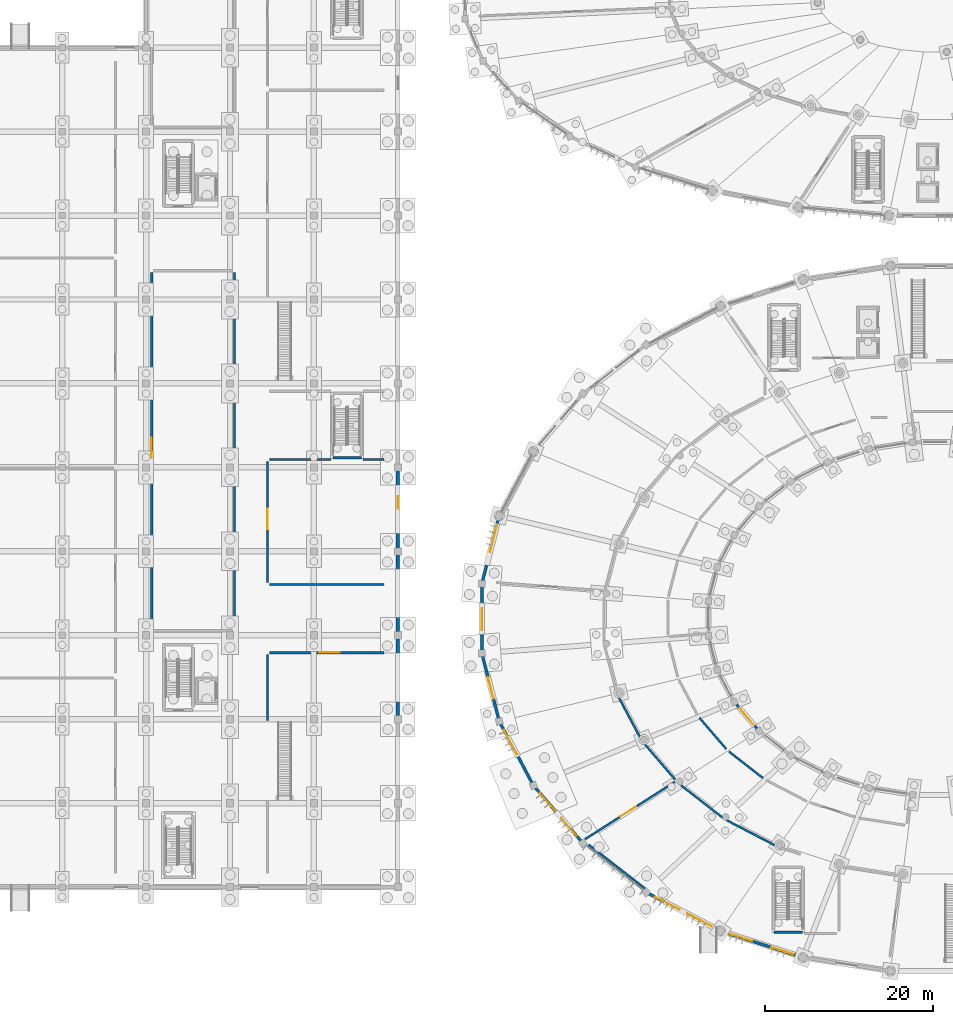
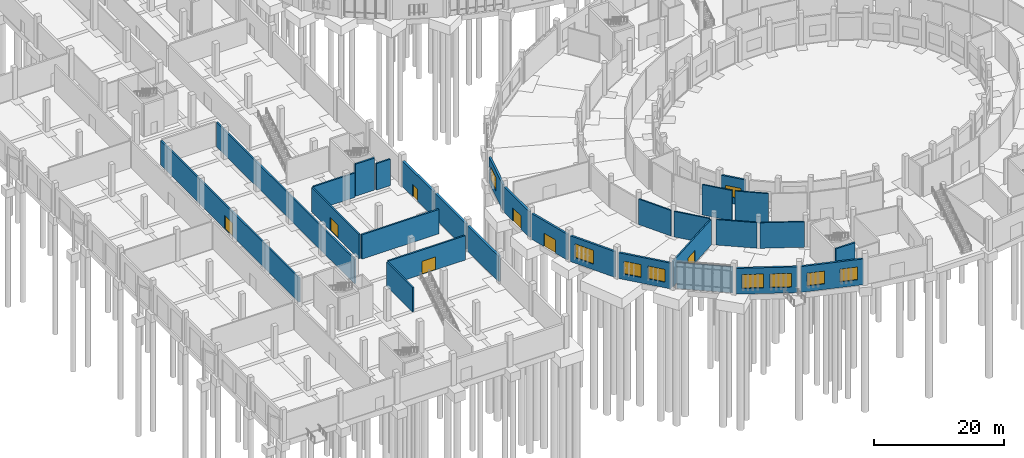
# One storey, part 78 of 140: 29 walls, 9 windows, 7 doors, 16 openings.
"""IFC4 building model written with IfcOpenShell, lengths in metres."""

import ifcopenshell
import ifcopenshell.guid

model = None  # the IFC model being written
_history = None  # IfcOwnerHistory: only IFC2X3 demands one
_inside = {}  # id of a spatial element -> (the spatial element, [elements in it])
_under = {}  # id of a project, library or spatial element -> (it, [spatial elements below it])
_declared = {}  # id of a project -> (the project, [libraries it declares])
_typed = {}  # id of a type object -> (the type object, [elements of that type])
_made_of = {}  # id of a material, layer set ... -> (it, [elements and type objects made of it])


def new_model(schema):
    """Start an empty IFC model of exactly this schema.

    Asked for "IFC4X3", IfcOpenShell would pick the latest addendum, in which some entities
    have other attributes; the version numbers below select the first issue.
    IFC2X3 requires an IfcOwnerHistory on every rooted entity: one is made here for all.
    """
    global model, _history
    if schema == "IFC4X3":
        model = ifcopenshell.file(schema_version=(4, 3, 0, 0))
    else:
        model = ifcopenshell.file(schema=schema)
    _inside.clear()
    _under.clear()
    _declared.clear()
    _typed.clear()
    _made_of.clear()
    _history = None
    if model.schema == "IFC2X3":
        org = make("IfcOrganization", Name="unknown")
        user = make(
            "IfcPersonAndOrganization",
            ThePerson=make("IfcPerson", FamilyName="unknown"),
            TheOrganization=org,
        )
        app = make(
            "IfcApplication",
            ApplicationDeveloper=org,
            Version="unknown",
            ApplicationFullName="unknown",
            ApplicationIdentifier="unknown",
        )
        _history = make(
            "IfcOwnerHistory",
            OwningUser=user,
            OwningApplication=app,
            ChangeAction="ADDED",
            CreationDate=0,
        )
    return model


def make(cls, **values):
    """One entity of the class cls with the attributes given. An attribute that is None is left unset."""
    return model.create_entity(
        cls, **{name: value for name, value in values.items() if value is not None}
    )


def rooted(cls, **values):
    """An entity with a GlobalId (a new one), such as an element, a storey or a relation."""
    return make(cls, GlobalId=ifcopenshell.guid.new(), OwnerHistory=_history, **values)


def si_unit(unit_type, name, prefix=None):
    """IfcSIUnit, for example si_unit("LENGTHUNIT", "METRE", prefix="MILLI")."""
    return make("IfcSIUnit", UnitType=unit_type, Prefix=prefix, Name=name)


def assignment(units):
    """IfcUnitAssignment: the units of a project."""
    return None if units is None else make("IfcUnitAssignment", Units=units)


def point(xyz):
    """IfcCartesianPoint."""
    return None if xyz is None else make("IfcCartesianPoint", Coordinates=xyz)


def direction(xyz):
    """IfcDirection."""
    return None if xyz is None else make("IfcDirection", DirectionRatios=xyz)


def frame(location, z_axis=None, x_axis=None):
    """IfcAxis2Placement3D, a coordinate frame: its origin and axes. An axis left out is left unset."""
    return make(
        "IfcAxis2Placement3D",
        Location=point(location),
        Axis=direction(z_axis),
        RefDirection=direction(x_axis),
    )


def frame_2d(location, x_axis=None):
    """IfcAxis2Placement2D, a coordinate frame in the plane: its origin and x axis."""
    return make(
        "IfcAxis2Placement2D", Location=point(location), RefDirection=direction(x_axis)
    )


def origin():
    """The frame at (0, 0, 0) with its axes left unset."""
    return frame((0.0, 0.0, 0.0))


def place(relative_to, where):
    """IfcLocalPlacement: puts the frame where relative to a parent placement (None: the world)."""
    return make(
        "IfcLocalPlacement", PlacementRelTo=relative_to, RelativePlacement=where
    )


def context(
    kind, dimensions, precision=None, world=None, true_north=None, identifier=None
):
    """IfcGeometricRepresentationContext, for example the 3D "Model" context."""
    return make(
        "IfcGeometricRepresentationContext",
        ContextIdentifier=identifier,
        ContextType=kind,
        CoordinateSpaceDimension=dimensions,
        Precision=precision,
        WorldCoordinateSystem=world,
        TrueNorth=true_north,
    )


def subcontext(parent, identifier, kind, view, scale=None):
    """IfcGeometricRepresentationSubContext, for example "Body" below "Model"."""
    return make(
        "IfcGeometricRepresentationSubContext",
        ContextIdentifier=identifier,
        ContextType=kind,
        ParentContext=parent,
        TargetScale=scale,
        TargetView=view,
    )


def project(units=None, contexts=None):
    """IfcProject with its units and contexts."""
    return rooted(
        "IfcProject",
        Name="project",
        RepresentationContexts=contexts,
        UnitsInContext=assignment(units),
    )


def spatial(cls, under=None, at=None, **own):
    """A site, building, storey or space (cls), placed at a placement, below another one or the project."""
    s = rooted(cls, ObjectPlacement=at, **own)
    if under is not None:
        _under.setdefault(under.id(), (under, []))[1].append(s)
    return s


def profile(cls, at=None, kind="AREA", **sizes):
    """A parametric profile (cls). Its sizes go by their IFC names, for example OverallWidth=200.0."""
    return make(cls, ProfileType=kind, Position=at, **sizes)


def rectangle(**sizes):
    """IfcRectangleProfileDef."""
    return profile("IfcRectangleProfileDef", **sizes)


def extrude(swept, where, along, depth):
    """IfcExtrudedAreaSolid: the profile swept, set in the frame where, extruded along a direction by depth."""
    return make(
        "IfcExtrudedAreaSolid",
        SweptArea=swept,
        Position=where,
        ExtrudedDirection=direction(along),
        Depth=depth,
    )


def shape(context_of_items, identifier, shape_type, items):
    """IfcShapeRepresentation: the items that make up one representation, for example the "Body"."""
    return make(
        "IfcShapeRepresentation",
        ContextOfItems=context_of_items,
        RepresentationIdentifier=identifier,
        RepresentationType=shape_type,
        Items=items,
    )


def material(Name=None, Category=None):
    """IfcMaterial."""
    return make("IfcMaterial", Name=Name, Category=Category)


def layer(
    of_material, thickness, ventilated=None, Name=None, Category=None, Priority=None
):
    """IfcMaterialLayer: one layer of a wall or slab, of a material (None: an air gap)."""
    return make(
        "IfcMaterialLayer",
        Material=of_material,
        LayerThickness=thickness,
        IsVentilated=ventilated,
        Name=Name,
        Category=Category,
        Priority=Priority,
    )


def layer_set(layers, Name=None):
    """IfcMaterialLayerSet."""
    return make("IfcMaterialLayerSet", MaterialLayers=layers, LayerSetName=Name)


def made_of(thing, what):
    """Note that an element or type object is made of a material, layer set ...; save() writes the relation."""
    if what is not None:
        _made_of.setdefault(what.id(), (what, []))[1].append(thing)
    return thing


def type_object(cls, material=None, **own):
    """A type object (cls), such as IfcWallType, which elements share."""
    return made_of(rooted(cls, **own), material)


def element(
    cls,
    number,
    at=None,
    inside=None,
    cuts=None,
    type_object=None,
    material=None,
    context=None,
    identifier="Body",
    shape_type=None,
    held_by="IfcProductDefinitionShape",
    body=None,
    shapes=None,
    **own,
):
    """One element of the class cls, such as IfcWall. Its Tag is "e" and its number.

    at: its placement. inside: the storey or other place that contains it. cuts: it is an
    opening in that element (IfcRelVoidsElement). A single representation is given by context,
    identifier, shape_type and body (its items); several are given by shapes. held_by: the class
    of the entity that holds the representations. save() writes the other relations.
    """
    e = rooted(cls, Tag="e%d" % number, ObjectPlacement=at, **own)
    if body is not None:
        shapes = [shape(context, identifier, shape_type, body)]
    if shapes is not None:
        e.Representation = make(held_by, Representations=shapes)
    if inside is not None:
        _inside.setdefault(inside.id(), (inside, []))[1].append(e)
    if cuts is not None:
        rooted(
            "IfcRelVoidsElement", RelatingBuildingElement=cuts, RelatedOpeningElement=e
        )
    if type_object is not None:
        _typed.setdefault(type_object.id(), (type_object, []))[1].append(e)
    return made_of(e, material)


def fill(opening, filler):
    """IfcRelFillsElement: the door or window that sits in an opening."""
    return rooted(
        "IfcRelFillsElement",
        RelatingOpeningElement=opening,
        RelatedBuildingElement=filler,
    )


def aggregate(whole, parts):
    """IfcRelAggregates: a whole, such as a stair, and the parts it consists of."""
    return rooted("IfcRelAggregates", RelatingObject=whole, RelatedObjects=parts)


def save(model, path):
    """Write the relations noted so far, then the file.

    IfcRelAggregates (storeys below a building ...), IfcRelContainedInSpatialStructure (elements
    in a storey), IfcRelDefinesByType, IfcRelAssociatesMaterial and IfcRelDeclares: one each for
    every whole, place, type object, material and project.
    """
    for whole, parts in _under.values():
        aggregate(whole, parts)
    for where, things in _inside.values():
        rooted(
            "IfcRelContainedInSpatialStructure",
            RelatedElements=things,
            RelatingStructure=where,
        )
    for kind, things in _typed.values():
        rooted("IfcRelDefinesByType", RelatedObjects=things, RelatingType=kind)
    for what, things in _made_of.values():
        rooted("IfcRelAssociatesMaterial", RelatedObjects=things, RelatingMaterial=what)
    for by, libraries in _declared.values():
        rooted("IfcRelDeclares", RelatingContext=by, RelatedDefinitions=libraries)
    model.write(path)


model = new_model("IFC4")

# Units and contexts
model_context = context("Model", 3, precision=1e-05, world=origin(), true_north=direction((0.0, 1.0)))
body_context = subcontext(model_context, "Body", "Model", "MODEL_VIEW")
ifc_project = project(units=[si_unit("LENGTHUNIT", "METRE"), si_unit("AREAUNIT", "SQUARE_METRE"), si_unit("VOLUMEUNIT", "CUBIC_METRE"), si_unit("PLANEANGLEUNIT", "RADIAN"), si_unit("MASSUNIT", "GRAM", prefix="KILO")], contexts=[model_context])

# Site, building, storey
site_placement = place(None, origin())
site = spatial("IfcSite", under=ifc_project, at=site_placement, CompositionType="ELEMENT")
building_placement = place(site_placement, origin())
building = spatial("IfcBuilding", under=site, at=building_placement, Name="Corvandel Quay Wholesale Market", CompositionType="ELEMENT")
storey_placement = place(building_placement, origin())
storey = spatial("IfcBuildingStorey", under=building, at=storey_placement, Name="L00", CompositionType="ELEMENT", Elevation=0.0)

# Wall
ifc_material_1 = material(Name="PIR insulated food-safe sandwich panel")
ifc_layer_1 = layer(ifc_material_1, 0.280029296875)
ifc_layer_set_1 = layer_set([ifc_layer_1], Name="PIR insulated food-safe sandwich panel")
wall_type_1 = type_object("IfcWallType", Name="Cold Store Insulated Partition PT03 280", PredefinedType="PARTITIONING", material=ifc_layer_set_1)
wall_1_placement = place(storey_placement, frame((34.4599609375, 29.84619140625, 0.0), z_axis=(0.0, 0.0, 1.0), x_axis=(0.0, 1.0, 0.0)))
element("IfcWall", 1, at=wall_1_placement, inside=storey, type_object=wall_type_1, Name="Interior Wall IW-0773", PredefinedType="PARTITIONING", context=body_context, shape_type="SweptSolid", body=[
    extrude(rectangle(XDim=7.873779296875, YDim=0.280029296875, at=frame_2d((3.93701171875, 0.0))), origin(), (0.0, 0.0, 1.0), 4.570068359375),
])

# Wall, opening, door
wall_2_placement = place(storey_placement, frame((34.679931640625, 37.93994140625, 0.0), z_axis=(0.0, 0.0, 1.0), x_axis=(1.0, 0.0, 0.0)))
wall_2 = element("IfcWall", 2, at=wall_2_placement, inside=storey, type_object=wall_type_1, Name="Interior Wall IW-0774", PredefinedType="PARTITIONING", context=body_context, shape_type="SweptSolid", body=[
    extrude(rectangle(XDim=13.650146484375, YDim=0.280029296875, at=frame_2d((6.8251953125, 0.0))), origin(), (0.0, 0.0, 1.0), 4.570068359375),
])
opening_1_placement = place(wall_2_placement, frame((5.97509765625, 0.0, 0.0)))
opening_1 = element("IfcOpeningElement", 3, at=opening_1_placement, cuts=wall_2, Name="Opening L00-D114", PredefinedType="OPENING", context=body_context, shape_type="SweptSolid", body=[
    extrude(rectangle(XDim=2.39990234375, YDim=2.449951171875, at=frame_2d((1.199951171875, 1.22509765625))), frame((0.0, 0.14990234375, 0.0), z_axis=(0.0, -1.0, 0.0), x_axis=(1.0, 0.0, 0.0)), (0.0, 0.0, 1.0), 0.300048828125),
])
ifc_material_2 = material(Name="Stainless insulated cold-store leaf")
door_type_1 = type_object("IfcDoorType", Name="Cold Store Insulated Sliding Door ID06 2400x2450", OperationType="DOUBLE_DOOR_SLIDING", PredefinedType="DOOR", material=ifc_material_2)
door_1_placement = place(opening_1_placement, origin())
door_1 = element("IfcDoor", 4, at=door_1_placement, inside=storey, type_object=door_type_1, Name="Primary Produce Cold Store South Door", OperationType="DOUBLE_DOOR_SLIDING", OverallHeight=2.449951171875, OverallWidth=2.39990234375, PredefinedType="DOOR", context=body_context, shape_type="SweptSolid", body=[
    extrude(rectangle(XDim=2.39990234375, YDim=2.449951171875, at=frame_2d((1.199951171875, 1.22509765625))), frame((0.0, 0.02490234375, 0.0), z_axis=(0.0, -1.0, 0.0), x_axis=(1.0, 0.0, 0.0)), (0.0, 0.0, 1.0), 0.050048828125),
])
fill(opening_1, door_1)

wall_3_placement = place(storey_placement, frame((34.4599609375, 46.280029296875, 0.0), z_axis=(0.0, 0.0, 1.0), x_axis=(0.0, 1.0, 0.0)))
wall_3 = element("IfcWall", 5, at=wall_3_placement, inside=storey, type_object=wall_type_1, Name="Interior Wall IW-0775", PredefinedType="PARTITIONING", context=body_context, shape_type="SweptSolid", body=[
    extrude(rectangle(XDim=14.43994140625, YDim=0.280029296875, at=frame_2d((7.219970703125, 0.0))), origin(), (0.0, 0.0, 1.0), 4.570068359375),
])
opening_2_placement = place(wall_3_placement, frame((6.3701171875, 0.0, 0.0)))
opening_2 = element("IfcOpeningElement", 6, at=opening_2_placement, cuts=wall_3, Name="Opening L00-D115", PredefinedType="OPENING", context=body_context, shape_type="SweptSolid", body=[
    extrude(rectangle(XDim=2.39990234375, YDim=2.449951171875, at=frame_2d((1.199951171875, 1.22509765625))), frame((0.0, 0.14990234375, 0.0), z_axis=(0.0, -1.0, 0.0), x_axis=(1.0, 0.0, 0.0)), (0.0, 0.0, 1.0), 0.300048828125),
])
door_2_placement = place(opening_2_placement, origin())
door_2 = element("IfcDoor", 7, at=door_2_placement, inside=storey, type_object=door_type_1, Name="Tropical Produce Cold Store Door", OperationType="DOUBLE_DOOR_SLIDING", OverallHeight=2.449951171875, OverallWidth=2.39990234375, PredefinedType="DOOR", context=body_context, shape_type="SweptSolid", body=[
    extrude(rectangle(XDim=2.39990234375, YDim=2.449951171875, at=frame_2d((1.199951171875, 1.22509765625))), frame((0.0, 0.02490234375, 0.0), z_axis=(0.0, -1.0, 0.0), x_axis=(1.0, 0.0, 0.0)), (0.0, 0.0, 1.0), 0.050048828125),
])
fill(opening_2, door_2)

# Walls
wall_4_placement = place(storey_placement, frame((34.679931640625, 60.93994140625, 0.0), z_axis=(0.0, 0.0, 1.0), x_axis=(1.0, 0.0, 0.0)))
element("IfcWall", 8, at=wall_4_placement, inside=storey, type_object=wall_type_1, Name="Interior Wall IW-0776", PredefinedType="PARTITIONING", context=body_context, shape_type="SweptSolid", body=[
    extrude(rectangle(XDim=7.35009765625, YDim=0.280029296875, at=frame_2d((3.675048828125, 0.0))), origin(), (0.0, 0.0, 1.0), 4.570068359375),
])
wall_5_placement = place(storey_placement, frame((45.8701171875, 60.93994140625, 0.0), z_axis=(0.0, 0.0, 1.0), x_axis=(1.0, 0.0, 0.0)))
element("IfcWall", 9, at=wall_5_placement, inside=storey, type_object=wall_type_1, Name="Interior Wall IW-0777", PredefinedType="PARTITIONING", context=body_context, shape_type="SweptSolid", body=[
    extrude(rectangle(XDim=2.4599609375, YDim=0.280029296875, at=frame_2d((1.22998046875, 0.0))), origin(), (0.0, 0.0, 1.0), 4.969970703125),
])
wall_6_placement = place(storey_placement, frame((48.330078125, 46.06005859375, 0.0), z_axis=(0.0, 0.0, 1.0), x_axis=(-1.0, 0.0, 0.0)))
element("IfcWall", 10, at=wall_6_placement, inside=storey, type_object=wall_type_1, Name="Interior Wall IW-0778", PredefinedType="PARTITIONING", context=body_context, shape_type="SweptSolid", body=[
    extrude(rectangle(XDim=13.650146484375, YDim=0.280029296875, at=frame_2d((6.8251953125, 0.0))), origin(), (0.0, 0.0, 1.0), 4.570068359375),
])

# Wall, opening, door
wall_7_placement = place(storey_placement, frame((20.659912109375, 40.780029296875, 0.0), z_axis=(0.0, 0.0, 1.0), x_axis=(0.0, 1.0, 0.0)))
wall_7 = element("IfcWall", 11, at=wall_7_placement, inside=storey, type_object=wall_type_1, Name="Interior Wall IW-0788", PredefinedType="PARTITIONING", context=body_context, shape_type="SweptSolid", body=[
    extrude(rectangle(XDim=42.43994140625, YDim=0.280029296875, at=frame_2d((21.219970703125, 0.0))), origin(), (0.0, 0.0, 1.0), 4.570068359375),
])
opening_3_placement = place(wall_7_placement, frame((20.3701171875, 0.0, 0.0)))
opening_3 = element("IfcOpeningElement", 12, at=opening_3_placement, cuts=wall_7, Name="Opening L00-D120", PredefinedType="OPENING", context=body_context, shape_type="SweptSolid", body=[
    extrude(rectangle(XDim=2.39990234375, YDim=2.449951171875, at=frame_2d((1.199951171875, 1.22509765625))), frame((0.0, 0.14990234375, 0.0), z_axis=(0.0, -1.0, 0.0), x_axis=(1.0, 0.0, 0.0)), (0.0, 0.0, 1.0), 0.300048828125),
])
door_3_placement = place(opening_3_placement, origin())
door_3 = element("IfcDoor", 13, at=door_3_placement, inside=storey, type_object=door_type_1, Name="Cold Store Pallet Staging Chamber Door", OperationType="DOUBLE_DOOR_SLIDING", OverallHeight=2.449951171875, OverallWidth=2.39990234375, PredefinedType="DOOR", context=body_context, shape_type="SweptSolid", body=[
    extrude(rectangle(XDim=2.39990234375, YDim=2.449951171875, at=frame_2d((1.199951171875, 1.22509765625))), frame((0.0, 0.02490234375, 0.0), z_axis=(0.0, -1.0, 0.0), x_axis=(1.0, 0.0, 0.0)), (0.0, 0.0, 1.0), 0.050048828125),
])
fill(opening_3, door_3)

# Walls
wall_8_placement = place(storey_placement, frame((30.5400390625, 83.219970703125, 0.0), z_axis=(0.0, 0.0, 1.0), x_axis=(0.0, -1.0, 0.0)))
element("IfcWall", 14, at=wall_8_placement, inside=storey, type_object=wall_type_1, Name="Interior Wall IW-0790", PredefinedType="PARTITIONING", context=body_context, shape_type="SweptSolid", body=[
    extrude(rectangle(XDim=42.43994140625, YDim=0.280029296875, at=frame_2d((21.219970703125, 0.0))), origin(), (0.0, 0.0, 1.0), 4.570068359375),
])
ifc_material_3 = material(Name="Lightweight concrete blockwork", Category="masonry")
ifc_layer_2 = layer(ifc_material_3, 0.239990234375)
ifc_layer_set_2 = layer_set([ifc_layer_2], Name="Lightweight concrete blockwork")
wall_type_2 = type_object("IfcWallType", Name="Fire Compartment Partition PT01 240", PredefinedType="PARTITIONING", material=ifc_layer_set_2)
wall_9_placement = place(storey_placement, frame((76.198486328125, 32.81884765625, 0.0), z_axis=(0.0, 0.0, 1.0), x_axis=(0.470093725683, -0.8826165017, 0.0)))
element("IfcWall", 15, at=wall_9_placement, inside=storey, type_object=wall_type_2, Name="Interior Wall IW-0380", PredefinedType="PARTITIONING", context=body_context, shape_type="SweptSolid", body=[
    extrude(rectangle(XDim=5.89453125, YDim=0.239990234375, at=frame_2d((2.947265625, 0.0))), origin(), (0.0, 0.0, 1.0), 4.780029296875),
])
wall_10_placement = place(storey_placement, frame((79.21630859375, 27.2548828125, 0.0), z_axis=(0.0, 0.0, 1.0), x_axis=(0.651228013389, -0.758882121662, 0.0)))
element("IfcWall", 16, at=wall_10_placement, inside=storey, type_object=wall_type_2, Name="Interior Wall IW-0381", PredefinedType="PARTITIONING", context=body_context, shape_type="SweptSolid", body=[
    extrude(rectangle(XDim=5.846435546875, YDim=0.239990234375, at=frame_2d((2.92333984375, 0.0))), origin(), (0.0, 0.0, 1.0), 4.780029296875),
])

# Wall, opening, door
wall_11_placement = place(storey_placement, frame((82.9814453125, 22.53271484375, 0.0), z_axis=(0.0, 0.0, 1.0), x_axis=(-0.842964574038, -0.537969076171, 0.0)))
wall_11 = element("IfcWall", 17, at=wall_11_placement, inside=storey, type_object=wall_type_2, Name="Interior Wall IW-0382", PredefinedType="PARTITIONING", context=body_context, shape_type="SweptSolid", body=[
    extrude(rectangle(XDim=12.677978515625, YDim=0.239990234375, at=frame_2d((6.3388671875, 0.0))), origin(), (0.0, 0.0, 1.0), 4.780029296875),
])
opening_4_placement = place(wall_11_placement, frame((5.489013671875, 0.0, 0.0)))
opening_4 = element("IfcOpeningElement", 18, at=opening_4_placement, cuts=wall_11, Name="Opening L00-D089", PredefinedType="OPENING", context=body_context, shape_type="SweptSolid", body=[
    extrude(rectangle(XDim=2.199951171875, YDim=2.35009765625, at=frame_2d((1.10009765625, 1.175048828125))), frame((0.0, 0.1298828125, 0.0), z_axis=(0.0, -1.0, 0.0), x_axis=(1.0, 0.0, 0.0)), (0.0, 0.0, 1.0), 0.260009765625),
])
ifc_material_4 = material(Name="Stainless-clad fire-rated steel", Category="steel")
door_type_2 = type_object("IfcDoorType", Name="Hall Compartment Double Door ID04 2200x2350", OperationType="DOUBLE_DOOR_SINGLE_SWING", PredefinedType="DOOR", material=ifc_material_4)
door_4_placement = place(opening_4_placement, origin())
door_4 = element("IfcDoor", 19, at=door_4_placement, inside=storey, type_object=door_type_2, Name="Organic Produce Wholesale Trading Hall Door", OperationType="DOUBLE_DOOR_SINGLE_SWING", OverallHeight=2.35009765625, OverallWidth=2.199951171875, PredefinedType="DOOR", context=body_context, shape_type="SweptSolid", body=[
    extrude(rectangle(XDim=2.199951171875, YDim=2.35009765625, at=frame_2d((1.10009765625, 1.175048828125))), frame((0.0, 0.02490234375, 0.0), z_axis=(0.0, -1.0, 0.0), x_axis=(1.0, 0.0, 0.0)), (0.0, 0.0, 1.0), 0.050048828125),
])
fill(opening_4, door_4)

# Walls
wall_12_placement = place(storey_placement, frame((79.555419921875, 9.748046875, 0.0), z_axis=(0.0, 0.0, 1.0), x_axis=(-0.789385584691, 0.613897710276, 0.0)))
element("IfcWall", 20, at=wall_12_placement, inside=storey, type_object=wall_type_2, Name="Interior Wall IW-0383", PredefinedType="PARTITIONING", context=body_context, shape_type="SweptSolid", body=[
    extrude(rectangle(XDim=8.667236328125, YDim=0.239990234375, at=frame_2d((4.33349609375, 0.0))), origin(), (0.0, 0.0, 1.0), 4.830078125),
])
wall_13_placement = place(storey_placement, frame((83.747802734375, 22.112060546875, 0.0), z_axis=(0.0, 0.0, 1.0), x_axis=(0.789755642967, -0.613421571517, 0.0)))
element("IfcWall", 21, at=wall_13_placement, inside=storey, type_object=wall_type_2, Name="Interior Wall IW-0384", PredefinedType="PARTITIONING", context=body_context, shape_type="SweptSolid", body=[
    extrude(rectangle(XDim=6.319091796875, YDim=0.239990234375, at=frame_2d((3.15966796875, 0.0))), origin(), (0.0, 0.0, 1.0), 4.780029296875),
])
wall_14_placement = place(storey_placement, frame((89.107177734375, 17.99951171875, 0.0), z_axis=(0.0, 0.0, 1.0), x_axis=(0.887430939063, -0.460940699433, 0.0)))
element("IfcWall", 22, at=wall_14_placement, inside=storey, type_object=wall_type_2, Name="Interior Wall IW-0385", PredefinedType="PARTITIONING", context=body_context, shape_type="SweptSolid", body=[
    extrude(rectangle(XDim=6.810302734375, YDim=0.239990234375, at=frame_2d((3.4052734375, 0.0))), origin(), (0.0, 0.0, 1.0), 4.780029296875),
])
wall_15_placement = place(storey_placement, frame((93.51318359375, 22.97705078125, 0.0), z_axis=(0.0, 0.0, 1.0), x_axis=(-0.789326793675, 0.613973299734, 0.0)))
element("IfcWall", 23, at=wall_15_placement, inside=storey, type_object=wall_type_2, Name="Interior Wall IW-0427", PredefinedType="PARTITIONING", context=body_context, shape_type="SweptSolid", body=[
    extrude(rectangle(XDim=5.1708984375, YDim=0.239990234375, at=frame_2d((2.58544921875, 0.0))), origin(), (0.0, 0.0, 1.0), 5.679931640625),
])
wall_16_placement = place(storey_placement, frame((89.114501953125, 26.453857421875, 0.0), z_axis=(0.0, 0.0, 1.0), x_axis=(-0.651612898083, 0.758551666699, 0.0)))
element("IfcWall", 24, at=wall_16_placement, inside=storey, type_object=wall_type_2, Name="Interior Wall IW-0428", PredefinedType="PARTITIONING", context=body_context, shape_type="SweptSolid", body=[
    extrude(rectangle(XDim=4.892578125, YDim=0.239990234375, at=frame_2d((2.4462890625, 0.0))), origin(), (0.0, 0.0, 1.0), 5.679931640625),
])
ifc_material_5 = material(Name="Insulated precast concrete C45/55", Category="concrete")
ifc_layer_3 = layer(ifc_material_5, 0.39990234375)
ifc_layer_set_3 = layer_set([ifc_layer_3], Name="Insulated precast concrete C45/55")
wall_type_3 = type_object("IfcWallType", Name="Insulated Cold Store Envelope Wall EW03 400", PredefinedType="SOLIDWALL", material=ifc_layer_set_3)
for number, where, z_axis, x_axis, name in (
    (25, (50.0, 39.760009765625, 0.0), (0.0, 0.0, 1.0), (0.0, -1.0, 0.0), "Exterior Wall EW-0243"),
    (26, (50.0, 49.760009765625, 0.0), (0.0, 0.0, 1.0), (0.0, -1.0, 0.0), "Exterior Wall EW-0247"),
):
    element("IfcWall", number, at=place(storey_placement, frame(where, z_axis=z_axis, x_axis=x_axis)), inside=storey, type_object=wall_type_3, Name=name, PredefinedType="SOLIDWALL", context=body_context, shape_type="SweptSolid", body=[
        extrude(rectangle(XDim=9.52001953125, YDim=0.39990234375, at=frame_2d((4.760009765625, 0.0))), origin(), (0.0, 0.0, 1.0), 4.77001953125),
    ])

# Wall, opening, door
wall_17_placement = place(storey_placement, frame((50.0, 59.760009765625, 0.0), z_axis=(0.0, 0.0, 1.0), x_axis=(0.0, -1.0, 0.0)))
wall_17 = element("IfcWall", 27, at=wall_17_placement, inside=storey, type_object=wall_type_3, Name="Exterior Wall EW-0251", PredefinedType="SOLIDWALL", context=body_context, shape_type="SweptSolid", body=[
    extrude(rectangle(XDim=9.52001953125, YDim=0.39990234375, at=frame_2d((4.760009765625, 0.0))), origin(), (0.0, 0.0, 1.0), 4.77001953125),
])
opening_5_placement = place(wall_17_placement, frame((3.199951171875, 0.0, 0.0)))
opening_5 = element("IfcOpeningElement", 28, at=opening_5_placement, cuts=wall_17, Name="Opening L00-D046", PredefinedType="OPENING", context=body_context, shape_type="SweptSolid", body=[
    extrude(rectangle(XDim=1.5, YDim=2.25, at=frame_2d((0.75, 1.125))), frame((0.0, 0.2099609375, 0.0), z_axis=(0.0, -1.0, 0.0), x_axis=(1.0, 0.0, 0.0)), (0.0, 0.0, 1.0), 0.419921875),
])
ifc_material_6 = material(Name="Galvanised insulated hollow steel", Category="steel")
door_type_3 = type_object("IfcDoorType", Name="Exterior Stair Discharge Door ED05 1500x2250", OperationType="SINGLE_SWING_RIGHT", PredefinedType="DOOR", material=ifc_material_6)
door_5_placement = place(opening_5_placement, origin())
door_5 = element("IfcDoor", 29, at=door_5_placement, inside=storey, type_object=door_type_3, Name="Cold Store Yard Exit 50", OperationType="SINGLE_SWING_RIGHT", OverallHeight=2.25, OverallWidth=1.5, PredefinedType="DOOR", context=body_context, shape_type="SweptSolid", body=[
    extrude(rectangle(XDim=1.5, YDim=2.25, at=frame_2d((0.75, 1.125))), frame((0.0, 0.02490234375, 0.0), z_axis=(0.0, -1.0, 0.0), x_axis=(1.0, 0.0, 0.0)), (0.0, 0.0, 1.0), 0.050048828125),
])
fill(opening_5, door_5)

# Wall, opening, window
ifc_material_7 = material(Name="Precast concrete C45/55", Category="concrete")
ifc_layer_4 = layer(ifc_material_7, 0.300048828125)
ifc_layer_set_4 = layer_set([ifc_layer_4], Name="Precast concrete C45/55")
wall_type_4 = type_object("IfcWallType", Name="Loading Dock Apron Precast Wall EW05 300", PredefinedType="SOLIDWALL", material=ifc_layer_set_4)
wall_18_placement = place(storey_placement, frame((90.255615234375, 31.840576171875, 0.0), z_axis=(0.0, 0.0, 1.0), x_axis=(0.651580132855, -0.758579811535, 0.0)))
wall_18 = element("IfcWall", 30, at=wall_18_placement, inside=storey, type_object=wall_type_4, Name="Exterior Wall EW-0052", PredefinedType="SOLIDWALL", context=body_context, shape_type="SweptSolid", body=[
    extrude(rectangle(XDim=3.974609375, YDim=0.300048828125, at=frame_2d((1.9873046875, 0.0))), origin(), (0.0, 0.0, 1.0), 4.949951171875),
])
opening_6_placement = place(wall_18_placement, frame((0.68701171875, 0.0, 1.199951171875)))
opening_6 = element("IfcOpeningElement", 31, at=opening_6_placement, cuts=wall_18, Name="Opening L00-W032", PredefinedType="OPENING", context=body_context, shape_type="SweptSolid", body=[
    extrude(rectangle(XDim=2.60009765625, YDim=2.0, at=frame_2d((1.300048828125, 1.0))), frame((0.0, 0.159912109375, 0.0), z_axis=(0.0, -1.0, 0.0), x_axis=(1.0, 0.0, 0.0)), (0.0, 0.0, 1.0), 0.320068359375),
])
ifc_material_8 = material(Name="Thermally broken bronze anodised aluminium and solar-control low-E double glazing", Category="aluminium")
window_type_1 = type_object("IfcWindowType", Name="Yard Overlook Window WN05 2600x2000", PartitioningType="SINGLE_PANEL", PredefinedType="WINDOW", material=ifc_material_8)
window_1_placement = place(opening_6_placement, origin())
window_1 = element("IfcWindow", 32, at=window_1_placement, inside=storey, type_object=window_type_1, Name="Window L00-W032", OverallHeight=2.0, OverallWidth=2.60009765625, PartitioningType="SINGLE_PANEL", PredefinedType="WINDOW", context=body_context, shape_type="SweptSolid", body=[
    extrude(rectangle(XDim=2.60009765625, YDim=2.0, at=frame_2d((1.300048828125, 1.0))), frame((0.0, 0.030029296875, 0.0), z_axis=(0.0, -1.0, 0.0), x_axis=(1.0, 0.0, 0.0)), (0.0, 0.0, 1.0), 0.06005859375),
])
fill(opening_6, window_1)

# Walls
ifc_material_9 = material(Name="Concrete C40/50", Category="concrete")
ifc_layer_5 = layer(ifc_material_9, 0.300048828125)
ifc_layer_set_5 = layer_set([ifc_layer_5], Name="Concrete C40/50")
wall_type_5 = type_object("IfcWallType", Name="Stair Shaft Shear Wall SW02 300", PredefinedType="SHEAR", material=ifc_layer_set_5)
for number, where, z_axis, x_axis, name in (
    (33, (94.800048828125, 4.64990234375, 0.0), (0.0, 0.0, 1.0), (1.0, 0.0, 0.0), "Shear Wall IW-0025"),
    (34, (42.25, 61.14990234375, 0.0), (0.0, 0.0, 1.0), (1.0, 0.0, 0.0), "Shear Wall IW-0133"),
):
    element("IfcWall", number, at=place(storey_placement, frame(where, z_axis=z_axis, x_axis=x_axis)), inside=storey, type_object=wall_type_5, Name=name, PredefinedType="SHEAR", context=body_context, shape_type="SweptSolid", body=[
        extrude(rectangle(XDim=3.39990234375, YDim=0.300048828125, at=frame_2d((1.699951171875, 0.0))), origin(), (0.0, 0.0, 1.0), 6.0),
    ])

# Wall, opening, window
ifc_material_10 = material(Name="Terracotta precast concrete C45/55", Category="masonry")
ifc_layer_6 = layer(ifc_material_10, 0.340087890625)
ifc_layer_set_6 = layer_set([ifc_layer_6], Name="Terracotta precast concrete C45/55")
wall_type_6 = type_object("IfcWallType", Name="Terracotta Ribbed Precast Wall EW01 340", PredefinedType="SOLIDWALL", material=ifc_layer_set_6)
wall_19_placement = place(storey_placement, frame((62.008056640625, 53.989501953125, 0.0), z_axis=(0.0, 0.0, 1.0), x_axis=(-0.247752312481, -0.968823405818, 0.0)))
wall_19 = element("IfcWall", 35, at=wall_19_placement, inside=storey, type_object=wall_type_6, Name="Exterior Wall EW-0039", PredefinedType="SOLIDWALL", context=body_context, shape_type="SweptSolid", body=[
    extrude(rectangle(XDim=7.835205078125, YDim=0.340087890625, at=frame_2d((3.91748046875, 0.0))), origin(), (0.0, 0.0, 1.0), 4.830078125),
])
opening_7_placement = place(wall_19_placement, frame((0.89990234375, 0.0, 1.050048828125)))
opening_7 = element("IfcOpeningElement", 36, at=opening_7_placement, cuts=wall_19, Name="Opening L00-W024", PredefinedType="OPENING", context=body_context, shape_type="SweptSolid", body=[
    extrude(rectangle(XDim=3.300048828125, YDim=2.60009765625, at=frame_2d((1.64990234375, 1.300048828125))), frame((0.0, 0.179931640625, 0.0), z_axis=(0.0, -1.0, 0.0), x_axis=(1.0, 0.0, 0.0)), (0.0, 0.0, 1.0), 0.360107421875),
])
window_type_2 = type_object("IfcWindowType", Name="South Promenade Display Window WN26 3300x2600", PartitioningType="SINGLE_PANEL", PredefinedType="WINDOW", material=ifc_material_8)
window_2_placement = place(opening_7_placement, origin())
window_2 = element("IfcWindow", 37, at=window_2_placement, inside=storey, type_object=window_type_2, Name="Window L00-W024", OverallHeight=2.60009765625, OverallWidth=3.300048828125, PartitioningType="SINGLE_PANEL", PredefinedType="WINDOW", context=body_context, shape_type="SweptSolid", body=[
    extrude(rectangle(XDim=3.300048828125, YDim=2.60009765625, at=frame_2d((1.64990234375, 1.300048828125))), frame((0.0, 0.030029296875, 0.0), z_axis=(0.0, -1.0, 0.0), x_axis=(1.0, 0.0, 0.0)), (0.0, 0.0, 1.0), 0.06005859375),
])
fill(opening_7, window_2)

# Wall, opening, door
wall_20_placement = place(storey_placement, frame((60.0, 45.866943359375, 0.0), z_axis=(0.0, 0.0, 1.0), x_axis=(0.0, -1.0, 0.0)))
wall_20 = element("IfcWall", 38, at=wall_20_placement, inside=storey, type_object=wall_type_6, Name="Exterior Wall EW-0042", PredefinedType="SOLIDWALL", context=body_context, shape_type="SweptSolid", body=[
    extrude(rectangle(XDim=7.73388671875, YDim=0.340087890625, at=frame_2d((3.866943359375, 0.0))), origin(), (0.0, 0.0, 1.0), 4.830078125),
])
opening_8_placement = place(wall_20_placement, frame((2.6669921875, 0.0, 0.0)))
opening_8 = element("IfcOpeningElement", 39, at=opening_8_placement, cuts=wall_20, Name="Opening L00-D008", PredefinedType="OPENING", context=body_context, shape_type="SweptSolid", body=[
    extrude(rectangle(XDim=2.60009765625, YDim=2.5, at=frame_2d((1.300048828125, 1.25))), frame((0.0, 0.179931640625, 0.0), z_axis=(0.0, -1.0, 0.0), x_axis=(1.0, 0.0, 0.0)), (0.0, 0.0, 1.0), 0.360107421875),
])
ifc_material_11 = material(Name="Bronze anodised aluminium and laminated glass", Category="aluminium")
door_type_4 = type_object("IfcDoorType", Name="Market Automatic Sliding Entrance ED07 2600x2500", OperationType="DOUBLE_DOOR_SLIDING", PredefinedType="DOOR", material=ifc_material_11)
door_6_placement = place(opening_8_placement, origin())
door_6 = element("IfcDoor", 40, at=door_6_placement, inside=storey, type_object=door_type_4, Name="Main Pedestrian Exit V1-15", OperationType="DOUBLE_DOOR_SLIDING", OverallHeight=2.5, OverallWidth=2.60009765625, PredefinedType="DOOR", context=body_context, shape_type="SweptSolid", body=[
    extrude(rectangle(XDim=2.60009765625, YDim=2.5, at=frame_2d((1.300048828125, 1.25))), frame((0.0, 0.02490234375, 0.0), z_axis=(0.0, -1.0, 0.0), x_axis=(1.0, 0.0, 0.0)), (0.0, 0.0, 1.0), 0.050048828125),
])
fill(opening_8, door_6)

wall_21_placement = place(storey_placement, frame((60.06689453125, 37.601318359375, 0.0), z_axis=(0.0, 0.0, 1.0), x_axis=(0.247752312481, -0.968823405818, 0.0)))
wall_21 = element("IfcWall", 41, at=wall_21_placement, inside=storey, type_object=wall_type_6, Name="Exterior Wall EW-0044", PredefinedType="SOLIDWALL", context=body_context, shape_type="SweptSolid", body=[
    extrude(rectangle(XDim=7.835205078125, YDim=0.340087890625, at=frame_2d((3.91748046875, 0.0))), origin(), (0.0, 0.0, 1.0), 4.830078125),
])
opening_9_placement = place(wall_21_placement, frame((2.718017578125, 0.0, 0.0)))
opening_9 = element("IfcOpeningElement", 42, at=opening_9_placement, cuts=wall_21, Name="Opening L00-D009", PredefinedType="OPENING", context=body_context, shape_type="SweptSolid", body=[
    extrude(rectangle(XDim=2.60009765625, YDim=2.5, at=frame_2d((1.300048828125, 1.25))), frame((0.0, 0.179931640625, 0.0), z_axis=(0.0, -1.0, 0.0), x_axis=(1.0, 0.0, 0.0)), (0.0, 0.0, 1.0), 0.360107421875),
])
door_7_placement = place(opening_9_placement, origin())
door_7 = element("IfcDoor", 43, at=door_7_placement, inside=storey, type_object=door_type_4, Name="Main Pedestrian Exit V1-16", OperationType="DOUBLE_DOOR_SLIDING", OverallHeight=2.5, OverallWidth=2.60009765625, PredefinedType="DOOR", context=body_context, shape_type="SweptSolid", body=[
    extrude(rectangle(XDim=2.60009765625, YDim=2.5, at=frame_2d((1.300048828125, 1.25))), frame((0.0, 0.02490234375, 0.0), z_axis=(0.0, -1.0, 0.0), x_axis=(1.0, 0.0, 0.0)), (0.0, 0.0, 1.0), 0.050048828125),
])
fill(opening_9, door_7)

# Wall, opening, window
wall_22_placement = place(storey_placement, frame((62.201904296875, 29.5107421875, 0.0), z_axis=(0.0, 0.0, 1.0), x_axis=(0.47010905891, -0.882608334841, 0.0)))
wall_22 = element("IfcWall", 44, at=wall_22_placement, inside=storey, type_object=wall_type_6, Name="Exterior Wall EW-0047", PredefinedType="SOLIDWALL", context=body_context, shape_type="SweptSolid", body=[
    extrude(rectangle(XDim=8.11962890625, YDim=0.340087890625, at=frame_2d((4.059814453125, 0.0))), origin(), (0.0, 0.0, 1.0), 4.830078125),
])
opening_10_placement = place(wall_22_placement, frame((0.89990234375, 0.0, 1.050048828125)))
opening_10 = element("IfcOpeningElement", 45, at=opening_10_placement, cuts=wall_22, Name="Opening L00-W028", PredefinedType="OPENING", context=body_context, shape_type="SweptSolid", body=[
    extrude(rectangle(XDim=3.300048828125, YDim=2.60009765625, at=frame_2d((1.64990234375, 1.300048828125))), frame((0.0, 0.179931640625, 0.0), z_axis=(0.0, -1.0, 0.0), x_axis=(1.0, 0.0, 0.0)), (0.0, 0.0, 1.0), 0.360107421875),
])
window_3_placement = place(opening_10_placement, origin())
window_3 = element("IfcWindow", 46, at=window_3_placement, inside=storey, type_object=window_type_2, Name="Window L00-W028", OverallHeight=2.60009765625, OverallWidth=3.300048828125, PartitioningType="SINGLE_PANEL", PredefinedType="WINDOW", context=body_context, shape_type="SweptSolid", body=[
    extrude(rectangle(XDim=3.300048828125, YDim=2.60009765625, at=frame_2d((1.64990234375, 1.300048828125))), frame((0.0, 0.030029296875, 0.0), z_axis=(0.0, -1.0, 0.0), x_axis=(1.0, 0.0, 0.0)), (0.0, 0.0, 1.0), 0.06005859375),
])
fill(opening_10, window_3)

# Wall, openings, windows
wall_23_placement = place(storey_placement, frame((66.322021484375, 21.901123046875, 0.0), z_axis=(0.0, 0.0, 1.0), x_axis=(0.651606697641, -0.758556992974, 0.0)))
wall_23 = element("IfcWall", 47, at=wall_23_placement, inside=storey, type_object=wall_type_6, Name="Exterior Wall EW-0051", PredefinedType="SOLIDWALL", context=body_context, shape_type="SweptSolid", body=[
    extrude(rectangle(XDim=8.5283203125, YDim=0.340087890625, at=frame_2d((4.26416015625, 0.0))), origin(), (0.0, 0.0, 1.0), 4.830078125),
])
opening_11_placement = place(wall_23_placement, frame((0.89990234375, 0.0, 1.050048828125)))
opening_11 = element("IfcOpeningElement", 48, at=opening_11_placement, cuts=wall_23, Name="Opening L00-W030", PredefinedType="OPENING", context=body_context, shape_type="SweptSolid", body=[
    extrude(rectangle(XDim=2.800048828125, YDim=2.39990234375, at=frame_2d((1.39990234375, 1.199951171875))), frame((0.0, 0.179931640625, 0.0), z_axis=(0.0, -1.0, 0.0), x_axis=(1.0, 0.0, 0.0)), (0.0, 0.0, 1.0), 0.360107421875),
])
opening_12_placement = place(wall_23_placement, frame((4.8291015625, 0.0, 1.050048828125)))
opening_12 = element("IfcOpeningElement", 49, at=opening_12_placement, cuts=wall_23, Name="Opening L00-W031", PredefinedType="OPENING", context=body_context, shape_type="SweptSolid", body=[
    extrude(rectangle(XDim=2.800048828125, YDim=2.39990234375, at=frame_2d((1.39990234375, 1.199951171875))), frame((0.0, 0.179931640625, 0.0), z_axis=(0.0, -1.0, 0.0), x_axis=(1.0, 0.0, 0.0)), (0.0, 0.0, 1.0), 0.360107421875),
])
window_type_3 = type_object("IfcWindowType", Name="Produce Hall Arched Ribbon Window WN01 2800x2400", PartitioningType="SINGLE_PANEL", PredefinedType="WINDOW", material=ifc_material_8)
window_4_placement = place(opening_11_placement, origin())
window_4 = element("IfcWindow", 50, at=window_4_placement, inside=storey, type_object=window_type_3, Name="Window L00-W030", OverallHeight=2.39990234375, OverallWidth=2.800048828125, PartitioningType="SINGLE_PANEL", PredefinedType="WINDOW", context=body_context, shape_type="SweptSolid", body=[
    extrude(rectangle(XDim=2.800048828125, YDim=2.39990234375, at=frame_2d((1.39990234375, 1.199951171875))), frame((0.0, 0.030029296875, 0.0), z_axis=(0.0, -1.0, 0.0), x_axis=(1.0, 0.0, 0.0)), (0.0, 0.0, 1.0), 0.06005859375),
])
fill(opening_11, window_4)
window_5_placement = place(opening_12_placement, origin())
window_5 = element("IfcWindow", 51, at=window_5_placement, inside=storey, type_object=window_type_3, Name="Window L00-W031", OverallHeight=2.39990234375, OverallWidth=2.800048828125, PartitioningType="SINGLE_PANEL", PredefinedType="WINDOW", context=body_context, shape_type="SweptSolid", body=[
    extrude(rectangle(XDim=2.800048828125, YDim=2.39990234375, at=frame_2d((1.39990234375, 1.199951171875))), frame((0.0, 0.030029296875, 0.0), z_axis=(0.0, -1.0, 0.0), x_axis=(1.0, 0.0, 0.0)), (0.0, 0.0, 1.0), 0.06005859375),
])
fill(opening_12, window_5)

wall_24_placement = place(storey_placement, frame((79.816650390625, 9.25146484375, 0.0), z_axis=(0.0, 0.0, 1.0), x_axis=(0.887335924519, -0.461123581112, 0.0)))
wall_24 = element("IfcWall", 52, at=wall_24_placement, inside=storey, type_object=wall_type_6, Name="Exterior Wall EW-0056", PredefinedType="SOLIDWALL", context=body_context, shape_type="SweptSolid", body=[
    extrude(rectangle(XDim=9.4267578125, YDim=0.340087890625, at=frame_2d((4.71337890625, 0.0))), origin(), (0.0, 0.0, 1.0), 4.830078125),
])
opening_13_placement = place(wall_24_placement, frame((0.89990234375, 0.0, 1.050048828125)))
opening_13 = element("IfcOpeningElement", 53, at=opening_13_placement, cuts=wall_24, Name="Opening L00-W034", PredefinedType="OPENING", context=body_context, shape_type="SweptSolid", body=[
    extrude(rectangle(XDim=3.300048828125, YDim=2.60009765625, at=frame_2d((1.64990234375, 1.300048828125))), frame((0.0, 0.179931640625, 0.0), z_axis=(0.0, -1.0, 0.0), x_axis=(1.0, 0.0, 0.0)), (0.0, 0.0, 1.0), 0.360107421875),
])
opening_14_placement = place(wall_24_placement, frame((5.22705078125, 0.0, 1.050048828125)))
opening_14 = element("IfcOpeningElement", 54, at=opening_14_placement, cuts=wall_24, Name="Opening L00-W035", PredefinedType="OPENING", context=body_context, shape_type="SweptSolid", body=[
    extrude(rectangle(XDim=3.300048828125, YDim=2.60009765625, at=frame_2d((1.64990234375, 1.300048828125))), frame((0.0, 0.179931640625, 0.0), z_axis=(0.0, -1.0, 0.0), x_axis=(1.0, 0.0, 0.0)), (0.0, 0.0, 1.0), 0.360107421875),
])
window_6_placement = place(opening_13_placement, origin())
window_6 = element("IfcWindow", 55, at=window_6_placement, inside=storey, type_object=window_type_2, Name="Window L00-W034", OverallHeight=2.60009765625, OverallWidth=3.300048828125, PartitioningType="SINGLE_PANEL", PredefinedType="WINDOW", context=body_context, shape_type="SweptSolid", body=[
    extrude(rectangle(XDim=3.300048828125, YDim=2.60009765625, at=frame_2d((1.64990234375, 1.300048828125))), frame((0.0, 0.030029296875, 0.0), z_axis=(0.0, -1.0, 0.0), x_axis=(1.0, 0.0, 0.0)), (0.0, 0.0, 1.0), 0.06005859375),
])
fill(opening_13, window_6)
window_7_placement = place(opening_14_placement, origin())
window_7 = element("IfcWindow", 56, at=window_7_placement, inside=storey, type_object=window_type_2, Name="Window L00-W035", OverallHeight=2.60009765625, OverallWidth=3.300048828125, PartitioningType="SINGLE_PANEL", PredefinedType="WINDOW", context=body_context, shape_type="SweptSolid", body=[
    extrude(rectangle(XDim=3.300048828125, YDim=2.60009765625, at=frame_2d((1.64990234375, 1.300048828125))), frame((0.0, 0.030029296875, 0.0), z_axis=(0.0, -1.0, 0.0), x_axis=(1.0, 0.0, 0.0)), (0.0, 0.0, 1.0), 0.06005859375),
])
fill(opening_14, window_7)

wall_25_placement = place(storey_placement, frame((88.677978515625, 4.697265625, 0.0), z_axis=(0.0, 0.0, 1.0), x_axis=(0.95182847269, -0.30663098111, 0.0)))
wall_25 = element("IfcWall", 57, at=wall_25_placement, inside=storey, type_object=wall_type_6, Name="Exterior Wall EW-0059", PredefinedType="SOLIDWALL", context=body_context, shape_type="SweptSolid", body=[
    extrude(rectangle(XDim=9.785400390625, YDim=0.340087890625, at=frame_2d((4.892578125, 0.0))), origin(), (0.0, 0.0, 1.0), 4.830078125),
])
opening_15_placement = place(wall_25_placement, frame((0.89990234375, 0.0, 1.050048828125)))
opening_15 = element("IfcOpeningElement", 58, at=opening_15_placement, cuts=wall_25, Name="Opening L00-W036", PredefinedType="OPENING", context=body_context, shape_type="SweptSolid", body=[
    extrude(rectangle(XDim=2.800048828125, YDim=2.39990234375, at=frame_2d((1.39990234375, 1.199951171875))), frame((0.0, 0.179931640625, 0.0), z_axis=(0.0, -1.0, 0.0), x_axis=(1.0, 0.0, 0.0)), (0.0, 0.0, 1.0), 0.360107421875),
])
opening_16_placement = place(wall_25_placement, frame((6.0849609375, 0.0, 1.050048828125)))
opening_16 = element("IfcOpeningElement", 59, at=opening_16_placement, cuts=wall_25, Name="Opening L00-W037", PredefinedType="OPENING", context=body_context, shape_type="SweptSolid", body=[
    extrude(rectangle(XDim=2.800048828125, YDim=2.39990234375, at=frame_2d((1.39990234375, 1.199951171875))), frame((0.0, 0.179931640625, 0.0), z_axis=(0.0, -1.0, 0.0), x_axis=(1.0, 0.0, 0.0)), (0.0, 0.0, 1.0), 0.360107421875),
])
window_8_placement = place(opening_15_placement, origin())
window_8 = element("IfcWindow", 60, at=window_8_placement, inside=storey, type_object=window_type_3, Name="Window L00-W036", OverallHeight=2.39990234375, OverallWidth=2.800048828125, PartitioningType="SINGLE_PANEL", PredefinedType="WINDOW", context=body_context, shape_type="SweptSolid", body=[
    extrude(rectangle(XDim=2.800048828125, YDim=2.39990234375, at=frame_2d((1.39990234375, 1.199951171875))), frame((0.0, 0.030029296875, 0.0), z_axis=(0.0, -1.0, 0.0), x_axis=(1.0, 0.0, 0.0)), (0.0, 0.0, 1.0), 0.06005859375),
])
fill(opening_15, window_8)
window_9_placement = place(opening_16_placement, origin())
window_9 = element("IfcWindow", 61, at=window_9_placement, inside=storey, type_object=window_type_3, Name="Window L00-W037", OverallHeight=2.39990234375, OverallWidth=2.800048828125, PartitioningType="SINGLE_PANEL", PredefinedType="WINDOW", context=body_context, shape_type="SweptSolid", body=[
    extrude(rectangle(XDim=2.800048828125, YDim=2.39990234375, at=frame_2d((1.39990234375, 1.199951171875))), frame((0.0, 0.030029296875, 0.0), z_axis=(0.0, -1.0, 0.0), x_axis=(1.0, 0.0, 0.0)), (0.0, 0.0, 1.0), 0.06005859375),
])
fill(opening_16, window_9)

save(model, "model.ifc")
